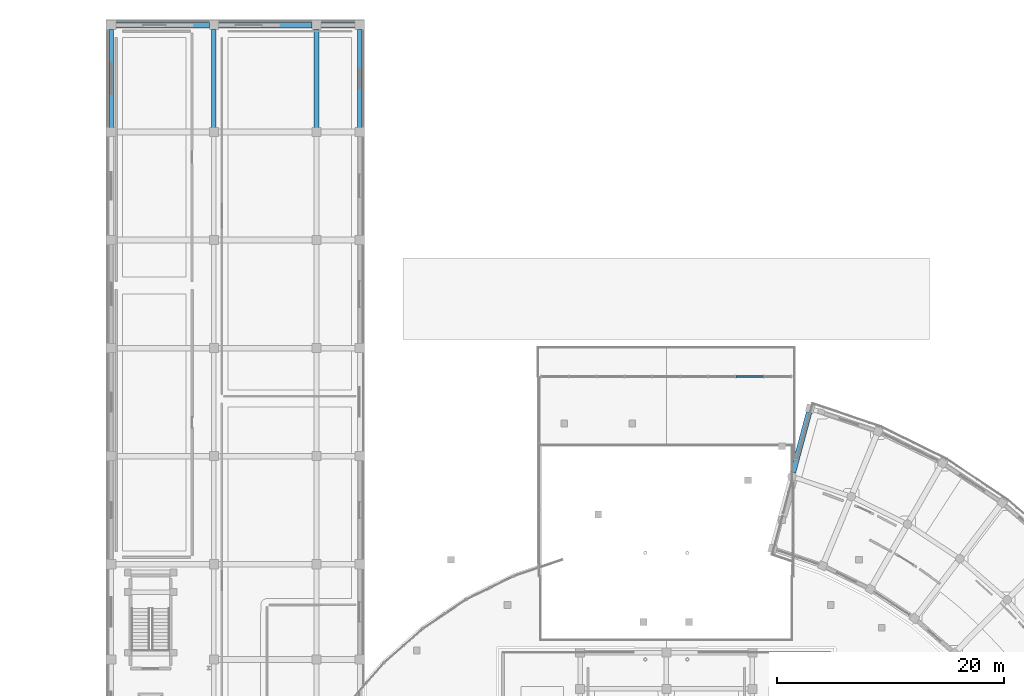
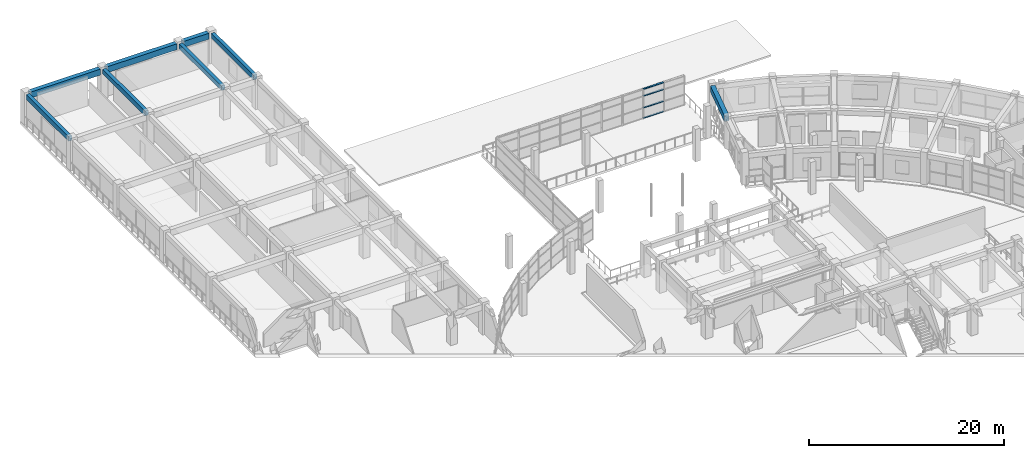
# One storey, part 44 of 87: 8 beams, 4 members, 1 element without a shape of its own.
"""IFC4 building model written with IfcOpenShell, lengths in metres."""

from ifc_helpers import new_model, si_unit, direction, frame, origin, origin_2d, place, context, subcontext, project, spatial, rectangle, extrude, material, material_profile, profile_set, type_object, element, aggregate, save


model = new_model("IFC4")

# Units and contexts
model_context = context("Model", 3, precision=1e-05, world=origin(), true_north=direction((0.0, 1.0)))
body_context = subcontext(model_context, "Body", "Model", "MODEL_VIEW")
ifc_project = project(units=[si_unit("LENGTHUNIT", "METRE"), si_unit("AREAUNIT", "SQUARE_METRE"), si_unit("VOLUMEUNIT", "CUBIC_METRE"), si_unit("PLANEANGLEUNIT", "RADIAN"), si_unit("MASSUNIT", "GRAM", prefix="KILO")], contexts=[model_context])

# Site, building, storey
site_placement = place(None, origin())
site = spatial("IfcSite", under=ifc_project, at=site_placement, CompositionType="ELEMENT")
building_placement = place(site_placement, origin())
building = spatial("IfcBuilding", under=site, at=building_placement, Name="Saryqyr Civic Hall", CompositionType="ELEMENT")
storey_placement = place(building_placement, frame((0.0, 0.0, 5.10009765625)))
storey = spatial("IfcBuildingStorey", under=building, at=storey_placement, Name="L01", CompositionType="ELEMENT", Elevation=5.10009765625)

# Curtain wall, members
ifc_material_1 = material(Name="Anodised aluminium and triple low-E glass", Category="aluminium")
curtain_wall_type = type_object("IfcCurtainWallType", Name="ENV-CW-HVY-69", PredefinedType="NOTDEFINED", material=ifc_material_1)
curtain_wall_placement = place(storey_placement, origin())
curtain_wall = element("IfcCurtainWall", 1, at=curtain_wall_placement, inside=storey, type_object=curtain_wall_type, Name="Curtain wall V2-PORTAL-CW-N-L01-2", PredefinedType="NOTDEFINED")
ifc_material_2 = material(Name="Anodised aluminium", Category="aluminium")
ifc_material_profile_1 = material_profile(ifc_material_2, rectangle(XDim=0.14990234375, YDim=0.070068359375, at=origin_2d()), Name="ALU TRANSOM 150x70")
ifc_profile_set_1 = profile_set([ifc_material_profile_1], Name="Anodised aluminium")
member_type = type_object("IfcMemberType", Name="ENV-CW-TRN-180", PredefinedType="USERDEFINED", material=ifc_profile_set_1)
member_1_placement = place(storey_placement, frame((63.173828125, 134.14990234375, 0.034912109375), z_axis=(1.0, 0.0, 0.0), x_axis=(0.0, 1.0, 0.0)))
member_1 = element("IfcMember", 2, at=member_1_placement, type_object=member_type, Name="CW-69 transom 2.1", ObjectType="TRANSOM", PredefinedType="USERDEFINED", context=body_context, shape_type="SweptSolid", body=[
    extrude(rectangle(XDim=0.14990234375, YDim=0.070068359375, at=origin_2d()), origin(), (0.0, 0.0, 1.0), 2.385498046875),
])
member_2_placement = place(storey_placement, frame((63.173828125, 134.14990234375, 1.331787109375), z_axis=(1.0, 0.0, 0.0), x_axis=(0.0, 1.0, 0.0)))
member_2 = element("IfcMember", 3, at=member_2_placement, type_object=member_type, Name="CW-69 transom 2.2", ObjectType="TRANSOM", PredefinedType="USERDEFINED", context=body_context, shape_type="SweptSolid", body=[
    extrude(rectangle(XDim=0.14990234375, YDim=0.070068359375, at=origin_2d()), origin(), (0.0, 0.0, 1.0), 2.385498046875),
])
member_3_placement = place(storey_placement, frame((63.173828125, 134.14990234375, 2.81201171875), z_axis=(1.0, 0.0, 0.0), x_axis=(0.0, 1.0, 0.0)))
member_3 = element("IfcMember", 4, at=member_3_placement, type_object=member_type, Name="CW-69 transom 2.3", ObjectType="TRANSOM", PredefinedType="USERDEFINED", context=body_context, shape_type="SweptSolid", body=[
    extrude(rectangle(XDim=0.14990234375, YDim=0.070068359375, at=origin_2d()), origin(), (0.0, 0.0, 1.0), 2.385498046875),
])
member_4_placement = place(storey_placement, frame((63.173828125, 134.14990234375, 3.664794921875), z_axis=(1.0, 0.0, 0.0), x_axis=(0.0, 1.0, 0.0)))
member_4 = element("IfcMember", 5, at=member_4_placement, type_object=member_type, Name="CW-69 transom 2.4", ObjectType="TRANSOM", PredefinedType="USERDEFINED", context=body_context, shape_type="SweptSolid", body=[
    extrude(rectangle(XDim=0.14990234375, YDim=0.070068359375, at=origin_2d()), origin(), (0.0, 0.0, 1.0), 2.385498046875),
])
aggregate(curtain_wall, [member_1, member_2, member_3, member_4])

# Beams
ifc_material_3 = material(Name="Concrete C35/45", Category="concrete")
ifc_material_profile_2 = material_profile(ifc_material_3, rectangle(XDim=0.39990234375, YDim=0.60009765625, at=origin_2d()), Name="RC 400x600")
ifc_profile_set_2 = profile_set([ifc_material_profile_2], Name="Concrete C35/45")
beam_type_1 = type_object("IfcBeamType", Name="STR-BM-RC400x600", PredefinedType="BEAM", material=ifc_profile_set_2)
for number, where, z_axis, x_axis, name in (
    (6, (8.050048828125, 156.094970703125, 3.469970703125), (0.0, 1.0, 0.0), (-1.0, 0.0, 0.0), "Beam V3-BM-NS-1-7-L01"),
    (7, (17.10009765625, 156.094970703125, 3.469970703125), (0.0, 1.0, 0.0), (-1.0, 0.0, 0.0), "Beam V3-BM-NS-2-7-L01"),
    (8, (26.14990234375, 156.094970703125, 3.469970703125), (0.0, 1.0, 0.0), (-1.0, 0.0, 0.0), "Beam V3-BM-NS-3-7-L01"),
    (9, (29.949951171875, 156.094970703125, 3.469970703125), (0.0, 1.0, 0.0), (-1.0, 0.0, 0.0), "Beam V3-BM-NS-4-7-L01"),
):
    element("IfcBeam", number, at=place(storey_placement, frame(where, z_axis=z_axis, x_axis=x_axis)), inside=storey, type_object=beam_type_1, Name=name, PredefinedType="BEAM", context=body_context, shape_type="SweptSolid", body=[
        extrude(rectangle(XDim=0.39990234375, YDim=0.60009765625, at=origin_2d()), origin(), (0.0, 0.0, 1.0), 8.679931640625),
    ])
ifc_material_4 = material(Name="Concrete C40/50", Category="concrete")
ifc_material_profile_3 = material_profile(ifc_material_4, rectangle(XDim=0.5, YDim=0.75, at=origin_2d()), Name="RC 500x750")
ifc_profile_set_3 = profile_set([ifc_material_profile_3], Name="Concrete C40/50")
beam_type_2 = type_object("IfcBeamType", Name="STR-BM-RC500x750", PredefinedType="BEAM", material=ifc_profile_set_3)
beam_1_placement = place(storey_placement, frame((68.168212890625, 125.6796875, 3.39501953125), z_axis=(0.258762589799, 0.965940951674, 0.0), x_axis=(-0.965940951674, 0.258762589799, 0.0)))
element("IfcBeam", 10, at=beam_1_placement, inside=storey, type_object=beam_type_2, Name="Beam V6-RBM-B10-L01", PredefinedType="BEAM", context=body_context, shape_type="SweptSolid", body=[
    extrude(rectangle(XDim=0.5, YDim=0.75, at=origin_2d()), origin(), (0.0, 0.0, 1.0), 5.525146484375),
])
beam_2_placement = place(storey_placement, frame((8.425048828125, 165.14990234375, 3.39501953125), z_axis=(1.0, 0.0, 0.0), x_axis=(0.0, 1.0, 0.0)))
element("IfcBeam", 11, at=beam_2_placement, inside=storey, type_object=beam_type_2, Name="Beam V3-BM-EW-8-1-L01", PredefinedType="BEAM", context=body_context, shape_type="SweptSolid", body=[
    extrude(rectangle(XDim=0.5, YDim=0.75, at=origin_2d()), origin(), (0.0, 0.0, 1.0), 8.300048828125),
])
beam_3_placement = place(storey_placement, frame((17.47509765625, 165.14990234375, 3.39501953125), z_axis=(1.0, 0.0, 0.0), x_axis=(0.0, 1.0, 0.0)))
element("IfcBeam", 12, at=beam_3_placement, inside=storey, type_object=beam_type_2, Name="Beam V3-BM-EW-8-2-L01", PredefinedType="BEAM", context=body_context, shape_type="SweptSolid", body=[
    extrude(rectangle(XDim=0.5, YDim=0.75, at=origin_2d()), origin(), (0.0, 0.0, 1.0), 8.2998046875),
])
beam_4_placement = place(storey_placement, frame((26.52490234375, 165.14990234375, 3.39501953125), z_axis=(1.0, 0.0, 0.0), x_axis=(0.0, 1.0, 0.0)))
element("IfcBeam", 13, at=beam_4_placement, inside=storey, type_object=beam_type_2, Name="Beam V3-BM-EW-8-3-L01", PredefinedType="BEAM", context=body_context, shape_type="SweptSolid", body=[
    extrude(rectangle(XDim=0.5, YDim=0.75, at=origin_2d()), origin(), (0.0, 0.0, 1.0), 3.050048828125),
])

save(model, "model.ifc")
